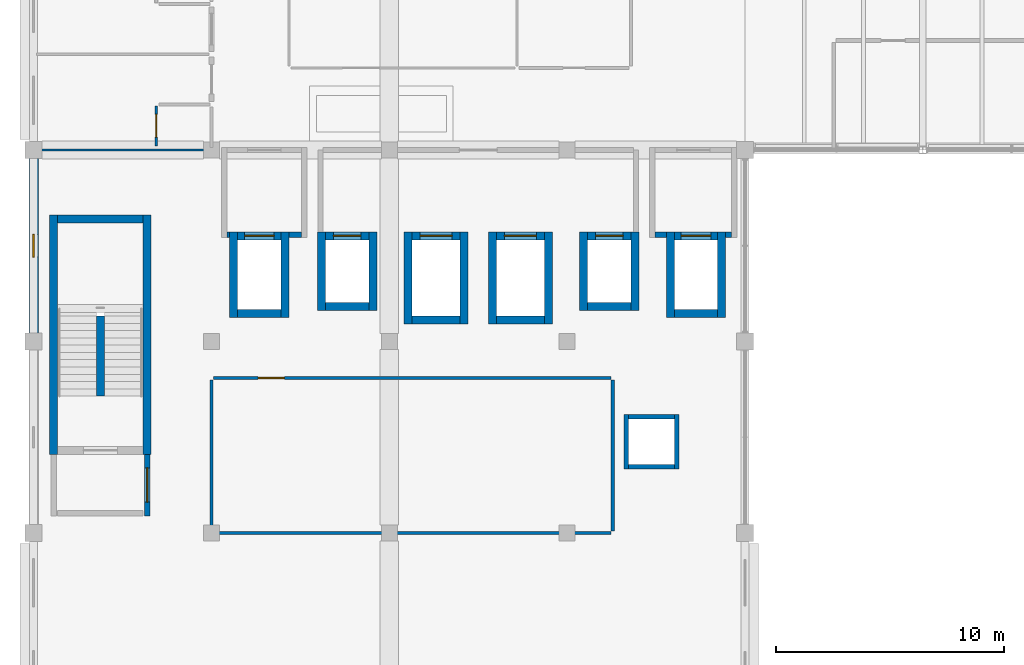
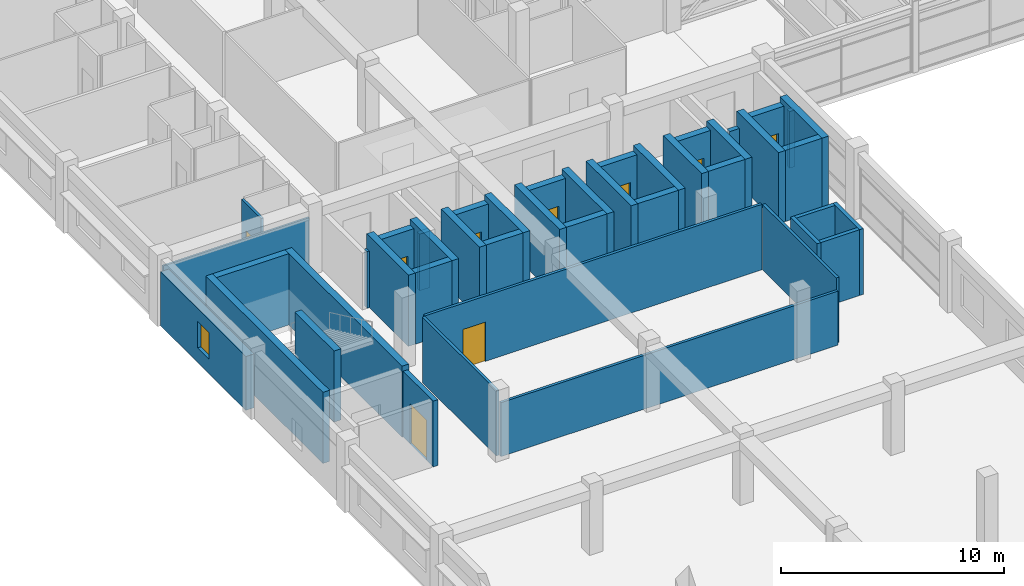
# One storey, part 48 of 72: 44 walls, 9 doors, 1 window, 10 openings.
"""IFC4 building model written with IfcOpenShell, lengths in metres."""

from ifc_helpers import new_model, si_unit, direction, frame, frame_2d, origin, place, context, subcontext, project, spatial, rectangle, extrude, material, layer, layer_set, type_object, element, fill, save


model = new_model("IFC4")

# Units and contexts
model_context = context("Model", 3, precision=1e-05, world=origin(), true_north=direction((0.0, 1.0)))
body_context = subcontext(model_context, "Body", "Model", "MODEL_VIEW")
ifc_project = project(units=[si_unit("LENGTHUNIT", "METRE"), si_unit("AREAUNIT", "SQUARE_METRE"), si_unit("VOLUMEUNIT", "CUBIC_METRE"), si_unit("PLANEANGLEUNIT", "RADIAN"), si_unit("MASSUNIT", "GRAM", prefix="KILO"), si_unit("THERMODYNAMICTEMPERATUREUNIT", "KELVIN"), si_unit("POWERUNIT", "WATT")], contexts=[model_context])

# Site, building, storey
site_placement = place(None, origin())
site = spatial("IfcSite", under=ifc_project, at=site_placement, CompositionType="ELEMENT")
building_placement = place(site_placement, origin())
building = spatial("IfcBuilding", under=site, at=building_placement, Name="Srebrne Nadtorze General Hospital", CompositionType="ELEMENT")
storey_placement = place(building_placement, frame((0.0, 0.0, 22.199951171875)))
storey = spatial("IfcBuildingStorey", under=building, at=storey_placement, Name="L05", CompositionType="ELEMENT", Elevation=22.199951171875)

# Wall, opening, window
ifc_material_1 = material(Name="Concrete C40/50", Category="concrete")
ifc_layer_1 = layer(ifc_material_1, 0.419921875)
ifc_layer_set_1 = layer_set([ifc_layer_1], Name="Concrete C40/50")
wall_type_1 = type_object("IfcWallType", Name="Acoustic buffer wall 420", PredefinedType="SOLIDWALL", material=ifc_layer_set_1)
wall_1_placement = place(storey_placement, frame((23.39990234375, 42.375, 0.0), z_axis=(0.0, 0.0, 1.0), x_axis=(0.0, 1.0, 0.0)))
wall_1 = element("IfcWall", 1, at=wall_1_placement, inside=storey, type_object=wall_type_1, Name="Exterior wall WL-ENV-L05-0428", PredefinedType="SOLIDWALL", context=body_context, shape_type="SweptSolid", body=[
    extrude(rectangle(XDim=7.64990234375, YDim=0.419921875, at=frame_2d((3.824951171875, 0.0))), origin(), (0.0, 0.0, 1.0), 2.949951171875),
])
opening_1_placement = place(wall_1_placement, frame((3.324951171875, 0.0, 0.800048828125)))
opening_1 = element("IfcOpeningElement", 2, at=opening_1_placement, cuts=wall_1, Name="Opening WN-L05-0686", PredefinedType="OPENING", context=body_context, shape_type="SweptSolid", body=[
    extrude(rectangle(XDim=1.0, YDim=1.449951171875, at=frame_2d((0.5, 0.72509765625))), frame((0.0, 0.221923828125, 0.0), z_axis=(0.0, -1.0, 0.0), x_axis=(1.0, 0.0, 0.0)), (0.0, 0.0, 1.0), 0.44384765625),
])
ifc_material_2 = material(Name="Triple Low-E Glazing", Category="glass")
window_type = type_object("IfcWindowType", Name="Punched clinical window 1000x1450", PartitioningType="SINGLE_PANEL", PredefinedType="WINDOW", material=ifc_material_2)
window_placement = place(opening_1_placement, origin())
window = element("IfcWindow", 3, at=window_placement, inside=storey, type_object=window_type, Name="Clinical window WN-L05-0686", OverallHeight=1.449951171875, OverallWidth=1.0, PartitioningType="SINGLE_PANEL", PredefinedType="WINDOW", context=body_context, shape_type="SweptSolid", body=[
    extrude(rectangle(XDim=1.0, YDim=1.449951171875, at=frame_2d((0.5, 0.72509765625))), frame((0.0, 0.030029296875, 0.0), z_axis=(0.0, -1.0, 0.0), x_axis=(1.0, 0.0, 0.0)), (0.0, 0.0, 1.0), 0.06005859375),
])
fill(opening_1, window)

# Wall, opening, door
ifc_material_3 = material(Name="Gypsum Healthcare Partition")
ifc_layer_2 = layer(ifc_material_3, 0.139892578125)
ifc_layer_set_2 = layer_set([ifc_layer_2], Name="Gypsum Healthcare Partition")
wall_type_2 = type_object("IfcWallType", Name="Clinical partition 140", PredefinedType="PARTITIONING", material=ifc_layer_set_2)
wall_2_placement = place(storey_placement, frame((31.284912109375, 40.39990234375, 0.0), z_axis=(0.0, 0.0, 1.0), x_axis=(1.0, 0.0, 0.0)))
wall_2 = element("IfcWall", 4, at=wall_2_placement, inside=storey, type_object=wall_type_2, Name="Ward Procedure and Day Lounge wall WL-INT-L05-2121", PredefinedType="PARTITIONING", context=body_context, shape_type="SweptSolid", body=[
    extrude(rectangle(XDim=17.43017578125, YDim=0.139892578125, at=frame_2d((8.715087890625, 0.0))), origin(), (0.0, 0.0, 1.0), 3.580078125),
])
opening_2_placement = place(wall_2_placement, frame((1.965087890625, 0.0, 0.0)))
opening_2 = element("IfcOpeningElement", 5, at=opening_2_placement, cuts=wall_2, Name="Opening D-L05-0451", PredefinedType="OPENING", context=body_context, shape_type="SweptSolid", body=[
    extrude(rectangle(XDim=1.14990234375, YDim=2.14990234375, at=frame_2d((0.574951171875, 1.074951171875))), frame((0.0, 0.08203125, 0.0), z_axis=(0.0, -1.0, 0.0), x_axis=(1.0, 0.0, 0.0)), (0.0, 0.0, 1.0), 0.163818359375),
])
ifc_material_4 = material(Name="Anodised Aluminium", Category="aluminium")
door_type_1 = type_object("IfcDoorType", Name="Single leaf door 1150x2150", OperationType="NOTDEFINED", PredefinedType="DOOR", material=ifc_material_4)
door_1_placement = place(opening_2_placement, frame((1.14990234375, 0.0, 0.0), z_axis=(0.0, 0.0, 1.0), x_axis=(-1.0, 0.0, 0.0)))
door_1 = element("IfcDoor", 6, at=door_1_placement, inside=storey, type_object=door_type_1, Name="Ward Procedure and Day Lounge door D-L05-0451", OperationType="SINGLE_SWING_RIGHT", OverallHeight=2.14990234375, OverallWidth=1.14990234375, PredefinedType="DOOR", context=body_context, shape_type="SweptSolid", body=[
    extrude(rectangle(XDim=1.14990234375, YDim=2.14990234375, at=frame_2d((0.574951171875, 1.074951171875))), frame((0.0, 0.02490234375, 0.0), z_axis=(0.0, -1.0, 0.0), x_axis=(1.0, 0.0, 0.0)), (0.0, 0.0, 1.0), 0.050048828125),
])
fill(opening_2, door_1)

# Walls
wall_3_placement = place(storey_placement, frame((31.284912109375, 33.60009765625, 0.0), z_axis=(0.0, 0.0, 1.0), x_axis=(1.0, 0.0, 0.0)))
element("IfcWall", 7, at=wall_3_placement, inside=storey, type_object=wall_type_2, Name="Ward Procedure and Day Lounge wall WL-INT-L05-2122", PredefinedType="PARTITIONING", context=body_context, shape_type="SweptSolid", body=[
    extrude(rectangle(XDim=17.43017578125, YDim=0.139892578125, at=frame_2d((8.715087890625, 0.0))), origin(), (0.0, 0.0, 1.0), 2.949951171875),
])
for number, where, z_axis, x_axis, name in (
    (8, (31.199951171875, 33.68505859375, 0.0), (0.0, 0.0, 1.0), (0.0, 1.0, 0.0), "Ward Procedure and Day Lounge wall WL-INT-L05-2123"),
    (9, (48.800048828125, 33.68505859375, 0.0), (0.0, 0.0, 1.0), (0.0, 1.0, 0.0), "Ward Procedure and Day Lounge wall WL-INT-L05-2124"),
):
    element("IfcWall", number, at=place(storey_placement, frame(where, z_axis=z_axis, x_axis=x_axis)), inside=storey, type_object=wall_type_2, Name=name, PredefinedType="PARTITIONING", context=body_context, shape_type="SweptSolid", body=[
        extrude(rectangle(XDim=6.6298828125, YDim=0.139892578125, at=frame_2d((3.31494140625, 0.0))), origin(), (0.0, 0.0, 1.0), 3.580078125),
    ])
ifc_material_5 = material(Name="Gypsum Healthcare Partition")
ifc_layer_3 = layer(ifc_material_5, 0.199951171875)
ifc_layer_set_3 = layer_set([ifc_layer_3], Name="Gypsum Healthcare Partition")
wall_type_3 = type_object("IfcWallType", Name="Compartment wall 200", PredefinedType="STANDARD", material=ifc_layer_set_3)
for number, where, z_axis, x_axis, name in (
    (10, (49.39990234375, 36.39990234375, 0.0), (0.0, 0.0, 1.0), (0.0, 1.0, 0.0), "MEP riser wall WL-INT-L05-1109"),
    (11, (51.60009765625, 36.39990234375, 0.0), (0.0, 0.0, 1.0), (0.0, 1.0, 0.0), "MEP riser wall WL-INT-L05-1110"),
):
    element("IfcWall", number, at=place(storey_placement, frame(where, z_axis=z_axis, x_axis=x_axis)), inside=storey, type_object=wall_type_3, Name=name, PredefinedType="STANDARD", context=body_context, shape_type="SweptSolid", body=[
        extrude(rectangle(XDim=2.400146484375, YDim=0.199951171875, at=frame_2d((1.2001953125, 0.0))), origin(), (0.0, 0.0, 1.0), 3.60009765625),
    ])
for number, where, z_axis, x_axis, name in (
    (12, (49.5, 36.5, 0.0), (0.0, 0.0, 1.0), (1.0, 0.0, 0.0), "MEP riser wall WL-INT-L05-1111"),
    (13, (49.5, 38.699951171875, 0.0), (0.0, 0.0, 1.0), (1.0, 0.0, 0.0), "MEP riser wall WL-INT-L05-1112"),
):
    element("IfcWall", number, at=place(storey_placement, frame(where, z_axis=z_axis, x_axis=x_axis)), inside=storey, type_object=wall_type_3, Name=name, PredefinedType="STANDARD", context=body_context, shape_type="SweptSolid", body=[
        extrude(rectangle(XDim=2.0, YDim=0.199951171875, at=frame_2d((1.0, 0.0))), origin(), (0.0, 0.0, 1.0), 3.60009765625),
    ])

# Wall, opening, door
ifc_material_6 = material(Name="Gypsum Healthcare Partition")
ifc_layer_4 = layer(ifc_material_6, 0.239990234375)
ifc_layer_set_4 = layer_set([ifc_layer_4], Name="Gypsum Healthcare Partition")
wall_type_4 = type_object("IfcWallType", Name="Corridor fire wall 240", PredefinedType="STANDARD", material=ifc_layer_set_4)
wall_4_placement = place(storey_placement, frame((28.375, 34.35498046875, 0.0), z_axis=(0.0, 0.0, 1.0), x_axis=(0.0, 1.0, 0.0)))
wall_4 = element("IfcWall", 14, at=wall_4_placement, inside=storey, type_object=wall_type_4, Name="Fire lobby wall ST-01 WL-INT-L05-0342", PredefinedType="STANDARD", context=body_context, shape_type="SweptSolid", body=[
    extrude(rectangle(XDim=2.695068359375, YDim=0.239990234375, at=frame_2d((1.34765625, 0.0))), origin(), (0.0, 0.0, 1.0), 3.60009765625),
])
opening_3_placement = place(wall_4_placement, frame((0.597412109375, 0.0, 0.0)))
opening_3 = element("IfcOpeningElement", 15, at=opening_3_placement, cuts=wall_4, Name="Opening D-L05-0086", PredefinedType="OPENING", context=body_context, shape_type="SweptSolid", body=[
    extrude(rectangle(XDim=1.5, YDim=2.199951171875, at=frame_2d((0.75, 1.10009765625))), frame((0.0, 0.1318359375, 0.0), z_axis=(0.0, -1.0, 0.0), x_axis=(1.0, 0.0, 0.0)), (0.0, 0.0, 1.0), 0.263916015625),
])
ifc_material_7 = material(Name="Anodised Aluminium", Category="aluminium")
door_type_2 = type_object("IfcDoorType", Name="Double leaf door 1500x2200", OperationType="DOUBLE_DOOR_SINGLE_SWING", PredefinedType="DOOR", material=ifc_material_7)
door_2_placement = place(opening_3_placement, origin())
door_2 = element("IfcDoor", 16, at=door_2_placement, inside=storey, type_object=door_type_2, Name="Fire lobby door ST-01 D-L05-0086", OperationType="DOUBLE_DOOR_SINGLE_SWING", OverallHeight=2.199951171875, OverallWidth=1.5, PredefinedType="DOOR", context=body_context, shape_type="SweptSolid", body=[
    extrude(rectangle(XDim=1.5, YDim=2.199951171875, at=frame_2d((0.75, 1.10009765625))), frame((0.0, 0.02490234375, 0.0), z_axis=(0.0, -1.0, 0.0), x_axis=(1.0, 0.0, 0.0)), (0.0, 0.0, 1.0), 0.050048828125),
])
fill(opening_3, door_2)

# Walls
wall_5_placement = place(storey_placement, frame((31.8798828125, 46.68994140625, 0.0), z_axis=(0.0, 0.0, 1.0), x_axis=(1.0, 0.0, 0.0)))
element("IfcWall", 17, at=wall_5_placement, inside=storey, type_object=wall_type_4, Name="FF lift lobby return wall WL-INT-L05-1090", PredefinedType="STANDARD", context=body_context, shape_type="SweptSolid", body=[
    extrude(rectangle(XDim=0.1201171875, YDim=0.239990234375, at=frame_2d((0.06005859375, 0.0))), origin(), (0.0, 0.0, 1.0), 3.10009765625),
])
wall_6_placement = place(storey_placement, frame((34.60009765625, 46.68994140625, 0.0), z_axis=(0.0, 0.0, 1.0), x_axis=(1.0, 0.0, 0.0)))
element("IfcWall", 18, at=wall_6_placement, inside=storey, type_object=wall_type_4, Name="FF lift lobby return wall WL-INT-L05-1091", PredefinedType="STANDARD", context=body_context, shape_type="SweptSolid", body=[
    extrude(rectangle(XDim=0.5498046875, YDim=0.239990234375, at=frame_2d((0.27490234375, 0.0))), origin(), (0.0, 0.0, 1.0), 3.10009765625),
])
wall_7_placement = place(storey_placement, frame((50.64990234375, 46.68994140625, 0.0), z_axis=(0.0, 0.0, 1.0), x_axis=(1.0, 0.0, 0.0)))
element("IfcWall", 19, at=wall_7_placement, inside=storey, type_object=wall_type_4, Name="FF lift lobby return wall WL-INT-L05-1095", PredefinedType="STANDARD", context=body_context, shape_type="SweptSolid", body=[
    extrude(rectangle(XDim=0.5, YDim=0.239990234375, at=frame_2d((0.25, 0.0))), origin(), (0.0, 0.0, 1.0), 3.10009765625),
])
wall_8_placement = place(storey_placement, frame((53.75, 46.68994140625, 0.0), z_axis=(0.0, 0.0, 1.0), x_axis=(1.0, 0.0, 0.0)))
element("IfcWall", 20, at=wall_8_placement, inside=storey, type_object=wall_type_4, Name="FF lift lobby return wall WL-INT-L05-1096", PredefinedType="STANDARD", context=body_context, shape_type="SweptSolid", body=[
    extrude(rectangle(XDim=0.27001953125, YDim=0.239990234375, at=frame_2d((0.135009765625, 0.0))), origin(), (0.0, 0.0, 1.0), 3.10009765625),
])

# Wall, opening, door
ifc_material_8 = material(Name="Gypsum Healthcare Partition")
ifc_layer_5 = layer(ifc_material_8, 0.1201171875)
ifc_layer_set_5 = layer_set([ifc_layer_5], Name="Gypsum Healthcare Partition")
wall_type_5 = type_object("IfcWallType", Name="En-suite partition 120", PredefinedType="PARTITIONING", material=ifc_layer_set_5)
wall_9_placement = place(storey_placement, frame((28.780029296875, 50.580078125, 0.0), z_axis=(0.0, 0.0, 1.0), x_axis=(0.0, 1.0, 0.0)))
wall_9 = element("IfcWall", 21, at=wall_9_placement, inside=storey, type_object=wall_type_5, Name="En-suite wet wall WL-INT-L05-1957", PredefinedType="PARTITIONING", context=body_context, shape_type="SweptSolid", body=[
    extrude(rectangle(XDim=1.760009765625, YDim=0.1201171875, at=frame_2d((0.8798828125, 0.0))), origin(), (0.0, 0.0, 1.0), 3.580078125),
])
opening_4_placement = place(wall_9_placement, frame((0.3798828125, 0.0, 0.0)))
opening_4 = element("IfcOpeningElement", 22, at=opening_4_placement, cuts=wall_9, Name="Opening D-L05-0387", PredefinedType="OPENING", context=body_context, shape_type="SweptSolid", body=[
    extrude(rectangle(XDim=1.0, YDim=2.10009765625, at=frame_2d((0.5, 1.050048828125))), frame((0.0, 0.072021484375, 0.0), z_axis=(0.0, -1.0, 0.0), x_axis=(1.0, 0.0, 0.0)), (0.0, 0.0, 1.0), 0.14404296875),
])
ifc_material_9 = material(Name="Anodised Aluminium", Category="aluminium")
door_type_3 = type_object("IfcDoorType", Name="Single leaf door 1000x2100", OperationType="NOTDEFINED", PredefinedType="DOOR", material=ifc_material_9)
door_3_placement = place(opening_4_placement, frame((1.0, 0.0, 0.0), z_axis=(0.0, 0.0, 1.0), x_axis=(-1.0, 0.0, 0.0)))
door_3 = element("IfcDoor", 23, at=door_3_placement, inside=storey, type_object=door_type_3, Name="En-suite bathroom door D-L05-0387", OperationType="SINGLE_SWING_LEFT", OverallHeight=2.10009765625, OverallWidth=1.0, PredefinedType="DOOR", context=body_context, shape_type="SweptSolid", body=[
    extrude(rectangle(XDim=1.0, YDim=2.10009765625, at=frame_2d((0.5, 1.050048828125))), frame((0.0, 0.02490234375, 0.0), z_axis=(0.0, -1.0, 0.0), x_axis=(1.0, 0.0, 0.0)), (0.0, 0.0, 1.0), 0.050048828125),
])
fill(opening_4, door_3)

# Walls
ifc_material_10 = material(Name="Gypsum Healthcare Partition")
ifc_layer_6 = layer(ifc_material_10, 0.10009765625)
ifc_layer_set_6 = layer_set([ifc_layer_6], Name="Gypsum Healthcare Partition")
wall_type_6 = type_object("IfcWallType", Name="Shaft lining wall 100", PredefinedType="PARTITIONING", material=ifc_layer_set_6)
wall_10_placement = place(storey_placement, frame((23.52001953125, 50.39990234375, 0.0), z_axis=(0.0, 0.0, 1.0), x_axis=(1.0, 0.0, 0.0)))
element("IfcWall", 24, at=wall_10_placement, inside=storey, type_object=wall_type_6, Name="Ward inter-room partition WL-INT-L05-1952", PredefinedType="PARTITIONING", context=body_context, shape_type="SweptSolid", body=[
    extrude(rectangle(XDim=7.56005859375, YDim=0.10009765625, at=frame_2d((3.780029296875, 0.0))), origin(), (0.0, 0.0, 1.0), 2.949951171875),
])
ifc_material_11 = material(Name="Concrete C40/50", Category="concrete")
ifc_layer_7 = layer(ifc_material_11, 0.35009765625)
ifc_layer_set_7 = layer_set([ifc_layer_7], Name="Concrete C40/50")
wall_type_7 = type_object("IfcWallType", Name="Shear core wall 350", PredefinedType="SHEAR", material=ifc_layer_set_7)
for number, where, z_axis, x_axis, name in (
    (25, (24.27490234375, 37.050048828125, 0.0), (0.0, 0.0, 1.0), (0.0, 1.0, 0.0), "Stair core wall ST-01 WL-INT-L05-0337"),
    (26, (28.375, 37.050048828125, 0.0), (0.0, 0.0, 1.0), (0.0, 1.0, 0.0), "Stair core wall ST-01 WL-INT-L05-0338"),
):
    element("IfcWall", number, at=place(storey_placement, frame(where, z_axis=z_axis, x_axis=x_axis)), inside=storey, type_object=wall_type_7, Name=name, PredefinedType="SHEAR", context=body_context, shape_type="SweptSolid", body=[
        extrude(rectangle(XDim=10.5, YDim=0.35009765625, at=frame_2d((5.25, 0.0))), origin(), (0.0, 0.0, 1.0), 3.900146484375),
    ])
wall_11_placement = place(storey_placement, frame((24.449951171875, 47.375, 0.0), z_axis=(0.0, 0.0, 1.0), x_axis=(1.0, 0.0, 0.0)))
element("IfcWall", 27, at=wall_11_placement, inside=storey, type_object=wall_type_7, Name="Stair core wall ST-01 WL-INT-L05-0339", PredefinedType="SHEAR", context=body_context, shape_type="SweptSolid", body=[
    extrude(rectangle(XDim=3.75, YDim=0.35009765625, at=frame_2d((1.875, 0.0))), origin(), (0.0, 0.0, 1.0), 3.900146484375),
])
wall_12_placement = place(storey_placement, frame((26.324951171875, 39.60009765625, 0.0), z_axis=(0.0, 0.0, 1.0), x_axis=(0.0, 1.0, 0.0)))
element("IfcWall", 28, at=wall_12_placement, inside=storey, type_object=wall_type_7, Name="Stair spine wall ST-01 WL-INT-L05-0344", PredefinedType="SHEAR", context=body_context, shape_type="SweptSolid", body=[
    extrude(rectangle(XDim=3.52001953125, YDim=0.35009765625, at=frame_2d((1.760009765625, 0.0))), origin(), (0.0, 0.0, 1.0), 3.900146484375),
])
for number, where, z_axis, x_axis, name in (
    (29, (32.175048828125, 43.06005859375, 0.0), (0.0, 0.0, 1.0), (0.0, 1.0, 0.0), "Lift shaft wall FL-01 WL-INT-L05-0490"),
    (30, (34.425048828125, 43.06005859375, 0.0), (0.0, 0.0, 1.0), (0.0, 1.0, 0.0), "Lift shaft wall FL-01 WL-INT-L05-0491"),
):
    element("IfcWall", number, at=place(storey_placement, frame(where, z_axis=z_axis, x_axis=x_axis)), inside=storey, type_object=wall_type_7, Name=name, PredefinedType="SHEAR", context=body_context, shape_type="SweptSolid", body=[
        extrude(rectangle(XDim=3.75, YDim=0.35009765625, at=frame_2d((1.875, 0.0))), origin(), (0.0, 0.0, 1.0), 3.900146484375),
    ])
wall_13_placement = place(storey_placement, frame((32.35009765625, 43.235107421875, 0.0), z_axis=(0.0, 0.0, 1.0), x_axis=(1.0, 0.0, 0.0)))
element("IfcWall", 31, at=wall_13_placement, inside=storey, type_object=wall_type_7, Name="Lift shaft back wall FL-01 WL-INT-L05-0492", PredefinedType="SHEAR", context=body_context, shape_type="SweptSolid", body=[
    extrude(rectangle(XDim=1.89990234375, YDim=0.35009765625, at=frame_2d((0.949951171875, 0.0))), origin(), (0.0, 0.0, 1.0), 3.900146484375),
])

# Wall, opening, door
wall_14_placement = place(storey_placement, frame((32.35009765625, 46.635009765625, 0.0), z_axis=(0.0, 0.0, 1.0), x_axis=(1.0, 0.0, 0.0)))
wall_14 = element("IfcWall", 32, at=wall_14_placement, inside=storey, type_object=wall_type_7, Name="Lift shaft front wall FL-01 WL-INT-L05-0493", PredefinedType="SHEAR", context=body_context, shape_type="SweptSolid", body=[
    extrude(rectangle(XDim=1.89990234375, YDim=0.35009765625, at=frame_2d((0.949951171875, 0.0))), origin(), (0.0, 0.0, 1.0), 3.60009765625),
])
opening_5_placement = place(wall_14_placement, frame((0.300048828125, 0.0, 0.0)))
opening_5 = element("IfcOpeningElement", 33, at=opening_5_placement, cuts=wall_14, Name="Opening LD-L05-007", PredefinedType="OPENING", context=body_context, shape_type="SweptSolid", body=[
    extrude(rectangle(XDim=1.300048828125, YDim=2.199951171875, at=frame_2d((0.64990234375, 1.10009765625))), frame((0.0, 0.18701171875, 0.0), z_axis=(0.0, -1.0, 0.0), x_axis=(1.0, 0.0, 0.0)), (0.0, 0.0, 1.0), 0.3740234375),
])
ifc_material_12 = material(Name="Anodised Aluminium", Category="aluminium")
door_type_4 = type_object("IfcDoorType", Name="Sliding lift door 1300x2200", OperationType="SLIDING_TO_LEFT", PredefinedType="DOOR", material=ifc_material_12)
door_4_placement = place(opening_5_placement, origin())
door_4 = element("IfcDoor", 34, at=door_4_placement, inside=storey, type_object=door_type_4, Name="Lift Landing Door LD-L05-007", OperationType="SLIDING_TO_LEFT", OverallHeight=2.199951171875, OverallWidth=1.300048828125, PredefinedType="DOOR", context=body_context, shape_type="SweptSolid", body=[
    extrude(rectangle(XDim=1.300048828125, YDim=2.199951171875, at=frame_2d((0.64990234375, 1.10009765625))), frame((0.0, 0.02490234375, 0.0), z_axis=(0.0, -1.0, 0.0), x_axis=(1.0, 0.0, 0.0)), (0.0, 0.0, 1.0), 0.050048828125),
])
fill(opening_5, door_4)

# Walls
for number, where, z_axis, x_axis, name in (
    (35, (36.02490234375, 43.360107421875, 0.0), (0.0, 0.0, 1.0), (0.0, 1.0, 0.0), "Lift shaft wall LP-01 WL-INT-L05-0530"),
    (36, (38.27490234375, 43.360107421875, 0.0), (0.0, 0.0, 1.0), (0.0, 1.0, 0.0), "Lift shaft wall LP-01 WL-INT-L05-0531"),
):
    element("IfcWall", number, at=place(storey_placement, frame(where, z_axis=z_axis, x_axis=x_axis)), inside=storey, type_object=wall_type_7, Name=name, PredefinedType="SHEAR", context=body_context, shape_type="SweptSolid", body=[
        extrude(rectangle(XDim=3.449951171875, YDim=0.35009765625, at=frame_2d((1.72509765625, 0.0))), origin(), (0.0, 0.0, 1.0), 3.900146484375),
    ])
wall_15_placement = place(storey_placement, frame((36.199951171875, 43.534912109375, 0.0), z_axis=(0.0, 0.0, 1.0), x_axis=(1.0, 0.0, 0.0)))
element("IfcWall", 37, at=wall_15_placement, inside=storey, type_object=wall_type_7, Name="Lift shaft back wall LP-01 WL-INT-L05-0532", PredefinedType="SHEAR", context=body_context, shape_type="SweptSolid", body=[
    extrude(rectangle(XDim=1.900146484375, YDim=0.35009765625, at=frame_2d((0.9501953125, 0.0))), origin(), (0.0, 0.0, 1.0), 3.900146484375),
])

# Wall, opening, door
wall_16_placement = place(storey_placement, frame((36.199951171875, 46.635009765625, 0.0), z_axis=(0.0, 0.0, 1.0), x_axis=(1.0, 0.0, 0.0)))
wall_16 = element("IfcWall", 38, at=wall_16_placement, inside=storey, type_object=wall_type_7, Name="Lift shaft front wall LP-01 WL-INT-L05-0533", PredefinedType="SHEAR", context=body_context, shape_type="SweptSolid", body=[
    extrude(rectangle(XDim=1.900146484375, YDim=0.35009765625, at=frame_2d((0.9501953125, 0.0))), origin(), (0.0, 0.0, 1.0), 3.60009765625),
])
opening_6_placement = place(wall_16_placement, frame((0.35009765625, 0.0, 0.0)))
opening_6 = element("IfcOpeningElement", 39, at=opening_6_placement, cuts=wall_16, Name="Opening LD-L05-017", PredefinedType="OPENING", context=body_context, shape_type="SweptSolid", body=[
    extrude(rectangle(XDim=1.199951171875, YDim=2.199951171875, at=frame_2d((0.60009765625, 1.10009765625))), frame((0.0, 0.18701171875, 0.0), z_axis=(0.0, -1.0, 0.0), x_axis=(1.0, 0.0, 0.0)), (0.0, 0.0, 1.0), 0.3740234375),
])
ifc_material_13 = material(Name="Anodised Aluminium", Category="aluminium")
door_type_5 = type_object("IfcDoorType", Name="Sliding lift door 1200x2200", OperationType="SLIDING_TO_LEFT", PredefinedType="DOOR", material=ifc_material_13)
door_5_placement = place(opening_6_placement, origin())
door_5 = element("IfcDoor", 40, at=door_5_placement, inside=storey, type_object=door_type_5, Name="Lift Landing Door LD-L05-017", OperationType="SLIDING_TO_LEFT", OverallHeight=2.199951171875, OverallWidth=1.199951171875, PredefinedType="DOOR", context=body_context, shape_type="SweptSolid", body=[
    extrude(rectangle(XDim=1.199951171875, YDim=2.199951171875, at=frame_2d((0.60009765625, 1.10009765625))), frame((0.0, 0.02490234375, 0.0), z_axis=(0.0, -1.0, 0.0), x_axis=(1.0, 0.0, 0.0)), (0.0, 0.0, 1.0), 0.050048828125),
])
fill(opening_6, door_5)

# Walls
for number, where, z_axis, x_axis, name in (
    (41, (39.824951171875, 42.760009765625, 0.0), (0.0, 0.0, 1.0), (0.0, 1.0, 0.0), "Lift shaft wall LS-01 WL-INT-L05-0566"),
    (42, (42.27490234375, 42.760009765625, 0.0), (0.0, 0.0, 1.0), (0.0, 1.0, 0.0), "Lift shaft wall LS-01 WL-INT-L05-0567"),
):
    element("IfcWall", number, at=place(storey_placement, frame(where, z_axis=z_axis, x_axis=x_axis)), inside=storey, type_object=wall_type_7, Name=name, PredefinedType="SHEAR", context=body_context, shape_type="SweptSolid", body=[
        extrude(rectangle(XDim=4.050048828125, YDim=0.35009765625, at=frame_2d((2.02490234375, 0.0))), origin(), (0.0, 0.0, 1.0), 3.900146484375),
    ])
wall_17_placement = place(storey_placement, frame((40.0, 42.93505859375, 0.0), z_axis=(0.0, 0.0, 1.0), x_axis=(1.0, 0.0, 0.0)))
element("IfcWall", 43, at=wall_17_placement, inside=storey, type_object=wall_type_7, Name="Lift shaft back wall LS-01 WL-INT-L05-0568", PredefinedType="SHEAR", context=body_context, shape_type="SweptSolid", body=[
    extrude(rectangle(XDim=2.10009765625, YDim=0.35009765625, at=frame_2d((1.050048828125, 0.0))), origin(), (0.0, 0.0, 1.0), 3.900146484375),
])

# Wall, opening, door
wall_18_placement = place(storey_placement, frame((40.0, 46.635009765625, 0.0), z_axis=(0.0, 0.0, 1.0), x_axis=(1.0, 0.0, 0.0)))
wall_18 = element("IfcWall", 44, at=wall_18_placement, inside=storey, type_object=wall_type_7, Name="Lift shaft front wall LS-01 WL-INT-L05-0569", PredefinedType="SHEAR", context=body_context, shape_type="SweptSolid", body=[
    extrude(rectangle(XDim=2.10009765625, YDim=0.35009765625, at=frame_2d((1.050048828125, 0.0))), origin(), (0.0, 0.0, 1.0), 3.60009765625),
])
opening_7_placement = place(wall_18_placement, frame((0.35009765625, 0.0, 0.0)))
opening_7 = element("IfcOpeningElement", 45, at=opening_7_placement, cuts=wall_18, Name="Opening LD-L05-026", PredefinedType="OPENING", context=body_context, shape_type="SweptSolid", body=[
    extrude(rectangle(XDim=1.39990234375, YDim=2.199951171875, at=frame_2d((0.699951171875, 1.10009765625))), frame((0.0, 0.18701171875, 0.0), z_axis=(0.0, -1.0, 0.0), x_axis=(1.0, 0.0, 0.0)), (0.0, 0.0, 1.0), 0.3740234375),
])
ifc_material_14 = material(Name="Anodised Aluminium", Category="aluminium")
door_type_6 = type_object("IfcDoorType", Name="Sliding lift door 1400x2200", OperationType="SLIDING_TO_LEFT", PredefinedType="DOOR", material=ifc_material_14)
door_6_placement = place(opening_7_placement, origin())
door_6 = element("IfcDoor", 46, at=door_6_placement, inside=storey, type_object=door_type_6, Name="Lift Landing Door LD-L05-026", OperationType="SLIDING_TO_LEFT", OverallHeight=2.199951171875, OverallWidth=1.39990234375, PredefinedType="DOOR", context=body_context, shape_type="SweptSolid", body=[
    extrude(rectangle(XDim=1.39990234375, YDim=2.199951171875, at=frame_2d((0.699951171875, 1.10009765625))), frame((0.0, 0.02490234375, 0.0), z_axis=(0.0, -1.0, 0.0), x_axis=(1.0, 0.0, 0.0)), (0.0, 0.0, 1.0), 0.050048828125),
])
fill(opening_7, door_6)

# Walls
for number, where, z_axis, x_axis, name in (
    (47, (43.52490234375, 42.760009765625, 0.0), (0.0, 0.0, 1.0), (0.0, 1.0, 0.0), "Lift shaft wall LS-02 WL-INT-L05-0606"),
    (48, (45.97509765625, 42.760009765625, 0.0), (0.0, 0.0, 1.0), (0.0, 1.0, 0.0), "Lift shaft wall LS-02 WL-INT-L05-0607"),
):
    element("IfcWall", number, at=place(storey_placement, frame(where, z_axis=z_axis, x_axis=x_axis)), inside=storey, type_object=wall_type_7, Name=name, PredefinedType="SHEAR", context=body_context, shape_type="SweptSolid", body=[
        extrude(rectangle(XDim=4.050048828125, YDim=0.35009765625, at=frame_2d((2.02490234375, 0.0))), origin(), (0.0, 0.0, 1.0), 3.900146484375),
    ])
wall_19_placement = place(storey_placement, frame((43.699951171875, 42.93505859375, 0.0), z_axis=(0.0, 0.0, 1.0), x_axis=(1.0, 0.0, 0.0)))
element("IfcWall", 49, at=wall_19_placement, inside=storey, type_object=wall_type_7, Name="Lift shaft back wall LS-02 WL-INT-L05-0608", PredefinedType="SHEAR", context=body_context, shape_type="SweptSolid", body=[
    extrude(rectangle(XDim=2.10009765625, YDim=0.35009765625, at=frame_2d((1.050048828125, 0.0))), origin(), (0.0, 0.0, 1.0), 3.900146484375),
])

# Wall, opening, door
wall_20_placement = place(storey_placement, frame((43.699951171875, 46.635009765625, 0.0), z_axis=(0.0, 0.0, 1.0), x_axis=(1.0, 0.0, 0.0)))
wall_20 = element("IfcWall", 50, at=wall_20_placement, inside=storey, type_object=wall_type_7, Name="Lift shaft front wall LS-02 WL-INT-L05-0609", PredefinedType="SHEAR", context=body_context, shape_type="SweptSolid", body=[
    extrude(rectangle(XDim=2.10009765625, YDim=0.35009765625, at=frame_2d((1.050048828125, 0.0))), origin(), (0.0, 0.0, 1.0), 3.60009765625),
])
opening_8_placement = place(wall_20_placement, frame((0.35009765625, 0.0, 0.0)))
opening_8 = element("IfcOpeningElement", 51, at=opening_8_placement, cuts=wall_20, Name="Opening LD-L05-036", PredefinedType="OPENING", context=body_context, shape_type="SweptSolid", body=[
    extrude(rectangle(XDim=1.39990234375, YDim=2.199951171875, at=frame_2d((0.699951171875, 1.10009765625))), frame((0.0, 0.18701171875, 0.0), z_axis=(0.0, -1.0, 0.0), x_axis=(1.0, 0.0, 0.0)), (0.0, 0.0, 1.0), 0.3740234375),
])
door_7_placement = place(opening_8_placement, origin())
door_7 = element("IfcDoor", 52, at=door_7_placement, inside=storey, type_object=door_type_6, Name="Lift Landing Door LD-L05-036", OperationType="SLIDING_TO_LEFT", OverallHeight=2.199951171875, OverallWidth=1.39990234375, PredefinedType="DOOR", context=body_context, shape_type="SweptSolid", body=[
    extrude(rectangle(XDim=1.39990234375, YDim=2.199951171875, at=frame_2d((0.699951171875, 1.10009765625))), frame((0.0, 0.02490234375, 0.0), z_axis=(0.0, -1.0, 0.0), x_axis=(1.0, 0.0, 0.0)), (0.0, 0.0, 1.0), 0.050048828125),
])
fill(opening_8, door_7)

# Walls
for number, where, z_axis, x_axis, name in (
    (53, (47.52490234375, 43.360107421875, 0.0), (0.0, 0.0, 1.0), (0.0, 1.0, 0.0), "Lift shaft wall LP-02 WL-INT-L05-0646"),
    (54, (49.77490234375, 43.360107421875, 0.0), (0.0, 0.0, 1.0), (0.0, 1.0, 0.0), "Lift shaft wall LP-02 WL-INT-L05-0647"),
):
    element("IfcWall", number, at=place(storey_placement, frame(where, z_axis=z_axis, x_axis=x_axis)), inside=storey, type_object=wall_type_7, Name=name, PredefinedType="SHEAR", context=body_context, shape_type="SweptSolid", body=[
        extrude(rectangle(XDim=3.449951171875, YDim=0.35009765625, at=frame_2d((1.72509765625, 0.0))), origin(), (0.0, 0.0, 1.0), 3.900146484375),
    ])
wall_21_placement = place(storey_placement, frame((47.699951171875, 43.534912109375, 0.0), z_axis=(0.0, 0.0, 1.0), x_axis=(1.0, 0.0, 0.0)))
element("IfcWall", 55, at=wall_21_placement, inside=storey, type_object=wall_type_7, Name="Lift shaft back wall LP-02 WL-INT-L05-0648", PredefinedType="SHEAR", context=body_context, shape_type="SweptSolid", body=[
    extrude(rectangle(XDim=1.900146484375, YDim=0.35009765625, at=frame_2d((0.9501953125, 0.0))), origin(), (0.0, 0.0, 1.0), 3.900146484375),
])

# Wall, opening, door
wall_22_placement = place(storey_placement, frame((47.699951171875, 46.635009765625, 0.0), z_axis=(0.0, 0.0, 1.0), x_axis=(1.0, 0.0, 0.0)))
wall_22 = element("IfcWall", 56, at=wall_22_placement, inside=storey, type_object=wall_type_7, Name="Lift shaft front wall LP-02 WL-INT-L05-0649", PredefinedType="SHEAR", context=body_context, shape_type="SweptSolid", body=[
    extrude(rectangle(XDim=1.900146484375, YDim=0.35009765625, at=frame_2d((0.9501953125, 0.0))), origin(), (0.0, 0.0, 1.0), 3.60009765625),
])
opening_9_placement = place(wall_22_placement, frame((0.35009765625, 0.0, 0.0)))
opening_9 = element("IfcOpeningElement", 57, at=opening_9_placement, cuts=wall_22, Name="Opening LD-L05-046", PredefinedType="OPENING", context=body_context, shape_type="SweptSolid", body=[
    extrude(rectangle(XDim=1.199951171875, YDim=2.199951171875, at=frame_2d((0.60009765625, 1.10009765625))), frame((0.0, 0.18701171875, 0.0), z_axis=(0.0, -1.0, 0.0), x_axis=(1.0, 0.0, 0.0)), (0.0, 0.0, 1.0), 0.3740234375),
])
door_8_placement = place(opening_9_placement, origin())
door_8 = element("IfcDoor", 58, at=door_8_placement, inside=storey, type_object=door_type_5, Name="Lift Landing Door LD-L05-046", OperationType="SLIDING_TO_LEFT", OverallHeight=2.199951171875, OverallWidth=1.199951171875, PredefinedType="DOOR", context=body_context, shape_type="SweptSolid", body=[
    extrude(rectangle(XDim=1.199951171875, YDim=2.199951171875, at=frame_2d((0.60009765625, 1.10009765625))), frame((0.0, 0.02490234375, 0.0), z_axis=(0.0, -1.0, 0.0), x_axis=(1.0, 0.0, 0.0)), (0.0, 0.0, 1.0), 0.050048828125),
])
fill(opening_9, door_8)

# Walls
for number, where, z_axis, x_axis, name in (
    (59, (51.324951171875, 43.06005859375, 0.0), (0.0, 0.0, 1.0), (0.0, 1.0, 0.0), "Lift shaft wall FL-02 WL-INT-L05-0682"),
    (60, (53.574951171875, 43.06005859375, 0.0), (0.0, 0.0, 1.0), (0.0, 1.0, 0.0), "Lift shaft wall FL-02 WL-INT-L05-0683"),
):
    element("IfcWall", number, at=place(storey_placement, frame(where, z_axis=z_axis, x_axis=x_axis)), inside=storey, type_object=wall_type_7, Name=name, PredefinedType="SHEAR", context=body_context, shape_type="SweptSolid", body=[
        extrude(rectangle(XDim=3.75, YDim=0.35009765625, at=frame_2d((1.875, 0.0))), origin(), (0.0, 0.0, 1.0), 3.900146484375),
    ])
wall_23_placement = place(storey_placement, frame((51.5, 43.235107421875, 0.0), z_axis=(0.0, 0.0, 1.0), x_axis=(1.0, 0.0, 0.0)))
element("IfcWall", 61, at=wall_23_placement, inside=storey, type_object=wall_type_7, Name="Lift shaft back wall FL-02 WL-INT-L05-0684", PredefinedType="SHEAR", context=body_context, shape_type="SweptSolid", body=[
    extrude(rectangle(XDim=1.89990234375, YDim=0.35009765625, at=frame_2d((0.949951171875, 0.0))), origin(), (0.0, 0.0, 1.0), 3.900146484375),
])

# Wall, opening, door
wall_24_placement = place(storey_placement, frame((51.5, 46.635009765625, 0.0), z_axis=(0.0, 0.0, 1.0), x_axis=(1.0, 0.0, 0.0)))
wall_24 = element("IfcWall", 62, at=wall_24_placement, inside=storey, type_object=wall_type_7, Name="Lift shaft front wall FL-02 WL-INT-L05-0685", PredefinedType="SHEAR", context=body_context, shape_type="SweptSolid", body=[
    extrude(rectangle(XDim=1.89990234375, YDim=0.35009765625, at=frame_2d((0.949951171875, 0.0))), origin(), (0.0, 0.0, 1.0), 3.60009765625),
])
opening_10_placement = place(wall_24_placement, frame((0.300048828125, 0.0, 0.0)))
opening_10 = element("IfcOpeningElement", 63, at=opening_10_placement, cuts=wall_24, Name="Opening LD-L05-055", PredefinedType="OPENING", context=body_context, shape_type="SweptSolid", body=[
    extrude(rectangle(XDim=1.300048828125, YDim=2.199951171875, at=frame_2d((0.64990234375, 1.10009765625))), frame((0.0, 0.18701171875, 0.0), z_axis=(0.0, -1.0, 0.0), x_axis=(1.0, 0.0, 0.0)), (0.0, 0.0, 1.0), 0.3740234375),
])
door_9_placement = place(opening_10_placement, origin())
door_9 = element("IfcDoor", 64, at=door_9_placement, inside=storey, type_object=door_type_4, Name="Lift Landing Door LD-L05-055", OperationType="SLIDING_TO_LEFT", OverallHeight=2.199951171875, OverallWidth=1.300048828125, PredefinedType="DOOR", context=body_context, shape_type="SweptSolid", body=[
    extrude(rectangle(XDim=1.300048828125, YDim=2.199951171875, at=frame_2d((0.64990234375, 1.10009765625))), frame((0.0, 0.02490234375, 0.0), z_axis=(0.0, -1.0, 0.0), x_axis=(1.0, 0.0, 0.0)), (0.0, 0.0, 1.0), 0.050048828125),
])
fill(opening_10, door_9)

save(model, "model.ifc")
